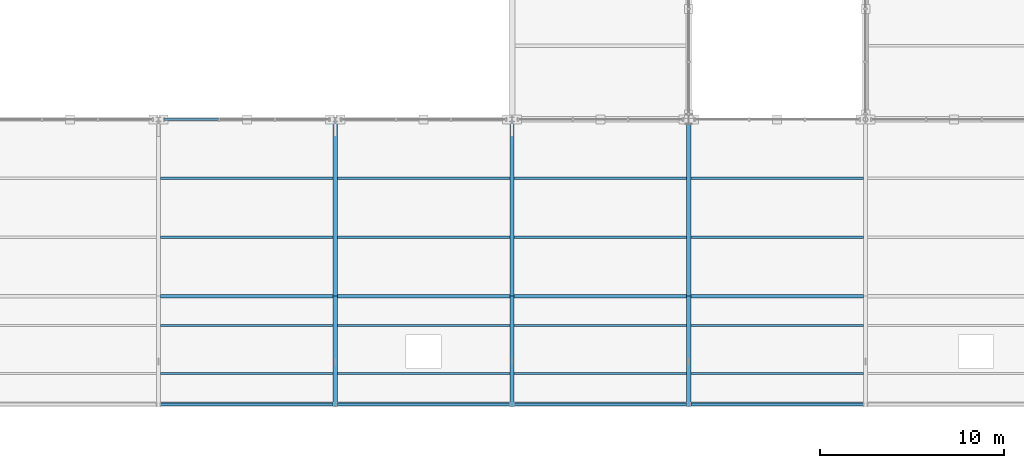
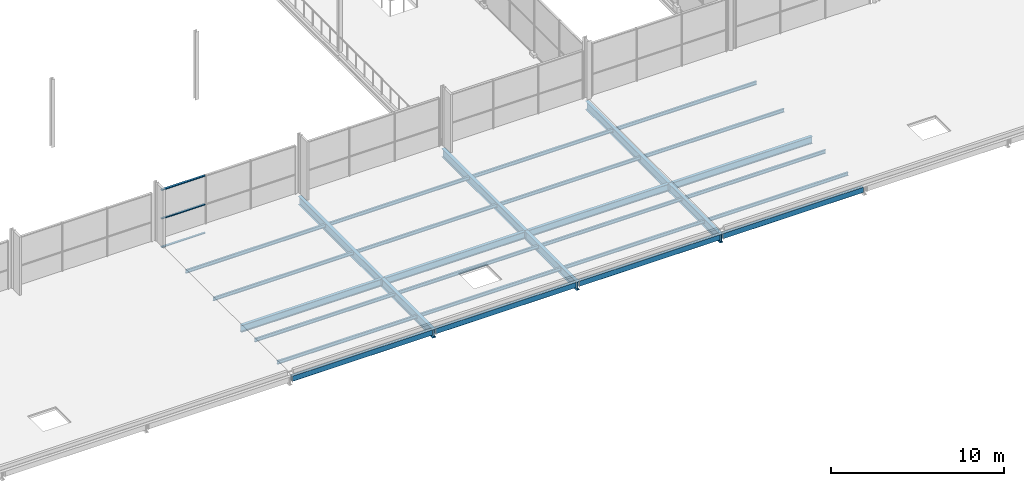
# One storey, part 27 of 159: 30 beams, 3 members, 1 element without a shape of its own.
"""IFC4 building model written with IfcOpenShell, lengths in metres."""

from ifc_helpers import new_model, si_unit, direction, frame, origin, origin_2d, place, context, subcontext, project, spatial, hollow_rectangle, i_section, extrude, material, material_profile, profile_set, type_object, element, aggregate, save


model = new_model("IFC4")

# Units and contexts
model_context = context("Model", 3, precision=1e-05, world=origin(), true_north=direction((0.0, 1.0)))
body_context = subcontext(model_context, "Body", "Model", "MODEL_VIEW")
ifc_project = project(units=[si_unit("LENGTHUNIT", "METRE"), si_unit("AREAUNIT", "SQUARE_METRE"), si_unit("VOLUMEUNIT", "CUBIC_METRE"), si_unit("PLANEANGLEUNIT", "RADIAN"), si_unit("MASSUNIT", "GRAM", prefix="KILO")], contexts=[model_context])

# Site, building, storey
site_placement = place(None, origin())
site = spatial("IfcSite", under=ifc_project, at=site_placement, CompositionType="ELEMENT")
building_placement = place(site_placement, origin())
building = spatial("IfcBuilding", under=site, at=building_placement, Name="Merenkruunu Market Hall", CompositionType="ELEMENT")
storey_placement = place(building_placement, frame((0.0, 0.0, 5.39990234375)))
storey = spatial("IfcBuildingStorey", under=building, at=storey_placement, Name="L01", CompositionType="ELEMENT", Elevation=5.39990234375)

# Curtain wall, members
ifc_material_1 = material(Name="Powder-coated aluminium", Category="aluminium")
curtain_wall_type = type_object("IfcCurtainWallType", Name="Glazed Curtain Wall CW09", PredefinedType="USERDEFINED", material=ifc_material_1)
curtain_wall_placement = place(storey_placement, origin())
curtain_wall = element("IfcCurtainWall", 1, at=curtain_wall_placement, inside=storey, type_object=curtain_wall_type, Name="CW-L01-CWM02-029", ObjectType="GLAZED_FACADE", PredefinedType="USERDEFINED")
ifc_material_profile_1 = material_profile(ifc_material_1, hollow_rectangle(XDim=0.06005859375, YDim=0.139892578125, WallThickness=0.00390625, at=origin_2d()), Name="ALU 60x140x4")
ifc_profile_set_1 = profile_set([ifc_material_profile_1], Name="Powder-coated aluminium")
member_type = type_object("IfcMemberType", Name="Curtain Wall Transom CWT02", PredefinedType="USERDEFINED", material=ifc_profile_set_1)
member_1_placement = place(storey_placement, frame((32.063232421875, 15.60009765625, 0.030029296875), z_axis=(-1.0, 0.0, 0.0), x_axis=(0.0, 0.0, 1.0)))
member_1 = element("IfcMember", 2, at=member_1_placement, type_object=member_type, Name="CW09 transom 3.1", ObjectType="TRANSOM", PredefinedType="USERDEFINED", context=body_context, shape_type="SweptSolid", body=[
    extrude(hollow_rectangle(XDim=0.06005859375, YDim=0.139892578125, WallThickness=0.00390625, at=origin_2d()), origin(), (0.0, 0.0, 1.0), 2.92333984375),
])
member_2_placement = place(storey_placement, frame((32.063232421875, 15.60009765625, 2.050048828125), z_axis=(-1.0, 0.0, 0.0), x_axis=(0.0, 0.0, 1.0)))
member_2 = element("IfcMember", 3, at=member_2_placement, type_object=member_type, Name="CW09 transom 3.2", ObjectType="TRANSOM", PredefinedType="USERDEFINED", context=body_context, shape_type="SweptSolid", body=[
    extrude(hollow_rectangle(XDim=0.06005859375, YDim=0.139892578125, WallThickness=0.00390625, at=origin_2d()), origin(), (0.0, 0.0, 1.0), 2.92333984375),
])
member_3_placement = place(storey_placement, frame((32.063232421875, 15.60009765625, 4.070068359375), z_axis=(-1.0, 0.0, 0.0), x_axis=(0.0, 0.0, 1.0)))
member_3 = element("IfcMember", 4, at=member_3_placement, type_object=member_type, Name="CW09 transom 3.3", ObjectType="TRANSOM", PredefinedType="USERDEFINED", context=body_context, shape_type="SweptSolid", body=[
    extrude(hollow_rectangle(XDim=0.06005859375, YDim=0.139892578125, WallThickness=0.00390625, at=origin_2d()), origin(), (0.0, 0.0, 1.0), 2.92333984375),
])
aggregate(curtain_wall, [member_1, member_2, member_3])

# Beams
ifc_material_2 = material(Name="Steel S355ML", Category="steel")
ifc_material_profile_2 = material_profile(ifc_material_2, hollow_rectangle(XDim=0.199951171875, YDim=0.39990234375, WallThickness=0.01611328125, InnerFilletRadius=0.01611328125, OuterFilletRadius=0.031982421875, at=origin_2d()), Name="RHS 400x200x16")
ifc_profile_set_2 = profile_set([ifc_material_profile_2], Name="Steel S355ML")
beam_type_1 = type_object("IfcBeamType", Name="Perimeter Spandrel Beam SP01", PredefinedType="SPANDREL", material=ifc_profile_set_2)
for number, where, z_axis, x_axis, name in (
    (5, (28.9130859375, 0.1201171875, 0.239990234375), (1.0, 0.0, 0.0), (0.0, 1.0, 0.0), "BM-L01-SP01-1113"),
    (6, (38.512939453125, 0.1201171875, 0.239990234375), (1.0, 0.0, 0.0), (0.0, 1.0, 0.0), "BM-L01-SP01-1119"),
    (7, (48.113037109375, 0.1201171875, 0.239990234375), (1.0, 0.0, 0.0), (0.0, 1.0, 0.0), "BM-L01-SP01-1125"),
    (8, (57.712890625, 0.1201171875, 0.239990234375), (1.0, 0.0, 0.0), (0.0, 1.0, 0.0), "BM-L01-SP01-1131"),
):
    element("IfcBeam", number, at=place(storey_placement, frame(where, z_axis=z_axis, x_axis=x_axis)), inside=storey, type_object=beam_type_1, Name=name, PredefinedType="SPANDREL", context=body_context, shape_type="SweptSolid", body=[
        extrude(hollow_rectangle(XDim=0.199951171875, YDim=0.39990234375, WallThickness=0.01611328125, InnerFilletRadius=0.01611328125, OuterFilletRadius=0.031982421875, at=origin_2d()), origin(), (0.0, 0.0, 1.0), 9.3740234375),
    ])
ifc_material_profile_3 = material_profile(ifc_material_2, i_section(OverallWidth=0.219970703125, OverallDepth=0.60009765625, WebThickness=0.011962890625, FlangeThickness=0.01904296875, FilletRadius=0.02392578125, at=origin_2d()), Name="IPE 600")
ifc_profile_set_3 = profile_set([ifc_material_profile_3], Name="Steel S355ML")
beam_type_2 = type_object("IfcBeamType", Name="Primary Floor Girder B10", PredefinedType="BEAM", material=ifc_profile_set_3)
beam_1_placement = place(storey_placement, frame((38.39990234375, 15.60009765625, 0.14013671875), z_axis=(0.0, -1.0, 0.0), x_axis=(1.0, 0.0, 0.0)))
element("IfcBeam", 9, at=beam_1_placement, inside=storey, type_object=beam_type_2, Name="BM-L01-B10-1072", PredefinedType="BEAM", context=body_context, shape_type="SweptSolid", body=[
    extrude(i_section(OverallWidth=0.219970703125, OverallDepth=0.60009765625, WebThickness=0.011962890625, FlangeThickness=0.01904296875, FilletRadius=0.02392578125, at=origin_2d()), origin(), (0.0, 0.0, 1.0), 9.60009765625),
])
beam_2_placement = place(storey_placement, frame((38.39990234375, 6.0, 0.14013671875), z_axis=(0.0, -1.0, 0.0), x_axis=(1.0, 0.0, 0.0)))
element("IfcBeam", 10, at=beam_2_placement, inside=storey, type_object=beam_type_2, Name="BM-L01-B10-1073", PredefinedType="BEAM", context=body_context, shape_type="SweptSolid", body=[
    extrude(i_section(OverallWidth=0.219970703125, OverallDepth=0.60009765625, WebThickness=0.011962890625, FlangeThickness=0.01904296875, FilletRadius=0.02392578125, at=origin_2d()), origin(), (0.0, 0.0, 1.0), 6.0),
])
beam_3_placement = place(storey_placement, frame((48.0, 15.60009765625, 0.14013671875), z_axis=(0.0, -1.0, 0.0), x_axis=(1.0, 0.0, 0.0)))
element("IfcBeam", 11, at=beam_3_placement, inside=storey, type_object=beam_type_2, Name="BM-L01-B10-1074", PredefinedType="BEAM", context=body_context, shape_type="SweptSolid", body=[
    extrude(i_section(OverallWidth=0.219970703125, OverallDepth=0.60009765625, WebThickness=0.011962890625, FlangeThickness=0.01904296875, FilletRadius=0.02392578125, at=origin_2d()), origin(), (0.0, 0.0, 1.0), 9.60009765625),
])
beam_4_placement = place(storey_placement, frame((48.0, 6.0, 0.14013671875), z_axis=(0.0, -1.0, 0.0), x_axis=(1.0, 0.0, 0.0)))
element("IfcBeam", 12, at=beam_4_placement, inside=storey, type_object=beam_type_2, Name="BM-L01-B10-1075", PredefinedType="BEAM", context=body_context, shape_type="SweptSolid", body=[
    extrude(i_section(OverallWidth=0.219970703125, OverallDepth=0.60009765625, WebThickness=0.011962890625, FlangeThickness=0.01904296875, FilletRadius=0.02392578125, at=origin_2d()), origin(), (0.0, 0.0, 1.0), 6.0),
])
beam_5_placement = place(storey_placement, frame((57.60009765625, 15.60009765625, 0.14013671875), z_axis=(0.0, -1.0, 0.0), x_axis=(1.0, 0.0, 0.0)))
element("IfcBeam", 13, at=beam_5_placement, inside=storey, type_object=beam_type_2, Name="BM-L01-B10-1076", PredefinedType="BEAM", context=body_context, shape_type="SweptSolid", body=[
    extrude(i_section(OverallWidth=0.219970703125, OverallDepth=0.60009765625, WebThickness=0.011962890625, FlangeThickness=0.01904296875, FilletRadius=0.02392578125, at=origin_2d()), origin(), (0.0, 0.0, 1.0), 9.60009765625),
])
beam_6_placement = place(storey_placement, frame((57.60009765625, 6.0, 0.14013671875), z_axis=(0.0, -1.0, 0.0), x_axis=(1.0, 0.0, 0.0)))
element("IfcBeam", 14, at=beam_6_placement, inside=storey, type_object=beam_type_2, Name="BM-L01-B10-1077", PredefinedType="BEAM", context=body_context, shape_type="SweptSolid", body=[
    extrude(i_section(OverallWidth=0.219970703125, OverallDepth=0.60009765625, WebThickness=0.011962890625, FlangeThickness=0.01904296875, FilletRadius=0.02392578125, at=origin_2d()), origin(), (0.0, 0.0, 1.0), 6.0),
])
ifc_material_3 = material(Name="Steel S355J2", Category="steel")
ifc_material_profile_4 = material_profile(ifc_material_3, i_section(OverallWidth=0.199951171875, OverallDepth=0.5, WebThickness=0.01025390625, FlangeThickness=0.01611328125, FilletRadius=0.02099609375, at=origin_2d()), Name="IPE 500")
ifc_profile_set_4 = profile_set([ifc_material_profile_4], Name="Steel S355J2")
beam_type_3 = type_object("IfcBeamType", Name="Primary Floor Girder B11", PredefinedType="BEAM", material=ifc_profile_set_4)
for number, where, z_axis, x_axis, name in (
    (15, (28.9130859375, 6.0, 0.190185546875), (1.0, 0.0, 0.0), (0.0, 1.0, 0.0), "BM-L01-B11-1112"),
    (16, (38.512939453125, 6.0, 0.190185546875), (1.0, 0.0, 0.0), (0.0, 1.0, 0.0), "BM-L01-B11-1118"),
    (17, (48.113037109375, 6.0, 0.190185546875), (1.0, 0.0, 0.0), (0.0, 1.0, 0.0), "BM-L01-B11-1124"),
    (18, (57.712890625, 6.0, 0.190185546875), (1.0, 0.0, 0.0), (0.0, 1.0, 0.0), "BM-L01-B11-1130"),
):
    element("IfcBeam", number, at=place(storey_placement, frame(where, z_axis=z_axis, x_axis=x_axis)), inside=storey, type_object=beam_type_3, Name=name, PredefinedType="BEAM", context=body_context, shape_type="SweptSolid", body=[
        extrude(i_section(OverallWidth=0.199951171875, OverallDepth=0.5, WebThickness=0.01025390625, FlangeThickness=0.01611328125, FilletRadius=0.02099609375, at=origin_2d()), origin(), (0.0, 0.0, 1.0), 9.3740234375),
    ])
ifc_material_profile_5 = material_profile(ifc_material_3, i_section(OverallWidth=0.1201171875, OverallDepth=0.239990234375, WebThickness=0.006103515625, FlangeThickness=0.009765625, FilletRadius=0.014892578125, at=origin_2d()), Name="IPE 240")
ifc_profile_set_5 = profile_set([ifc_material_profile_5], Name="Steel S355J2")
beam_type_4 = type_object("IfcBeamType", Name="Secondary Floor Joist J05", PredefinedType="JOIST", material=ifc_profile_set_5)
for number, where, z_axis, x_axis, name in (
    (19, (28.9130859375, 1.800048828125, 0.320068359375), (1.0, 0.0, 0.0), (0.0, 1.0, 0.0), "BM-L01-J05-1114"),
    (20, (28.9130859375, 4.39990234375, 0.320068359375), (1.0, 0.0, 0.0), (0.0, 1.0, 0.0), "BM-L01-J05-1115"),
    (21, (28.9130859375, 9.199951171875, 0.320068359375), (1.0, 0.0, 0.0), (0.0, 1.0, 0.0), "BM-L01-J05-1116"),
    (22, (28.9130859375, 12.39990234375, 0.320068359375), (1.0, 0.0, 0.0), (0.0, 1.0, 0.0), "BM-L01-J05-1117"),
    (23, (38.512939453125, 1.800048828125, 0.320068359375), (1.0, 0.0, 0.0), (0.0, 1.0, 0.0), "BM-L01-J05-1120"),
    (24, (38.512939453125, 4.39990234375, 0.320068359375), (1.0, 0.0, 0.0), (0.0, 1.0, 0.0), "BM-L01-J05-1121"),
    (25, (38.512939453125, 9.199951171875, 0.320068359375), (1.0, 0.0, 0.0), (0.0, 1.0, 0.0), "BM-L01-J05-1122"),
    (26, (38.512939453125, 12.39990234375, 0.320068359375), (1.0, 0.0, 0.0), (0.0, 1.0, 0.0), "BM-L01-J05-1123"),
    (27, (48.113037109375, 1.800048828125, 0.320068359375), (1.0, 0.0, 0.0), (0.0, 1.0, 0.0), "BM-L01-J05-1126"),
    (28, (48.113037109375, 4.39990234375, 0.320068359375), (1.0, 0.0, 0.0), (0.0, 1.0, 0.0), "BM-L01-J05-1127"),
    (29, (48.113037109375, 9.199951171875, 0.320068359375), (1.0, 0.0, 0.0), (0.0, 1.0, 0.0), "BM-L01-J05-1128"),
    (30, (48.113037109375, 12.39990234375, 0.320068359375), (1.0, 0.0, 0.0), (0.0, 1.0, 0.0), "BM-L01-J05-1129"),
    (31, (57.712890625, 1.800048828125, 0.320068359375), (1.0, 0.0, 0.0), (0.0, 1.0, 0.0), "BM-L01-J05-1132"),
    (32, (57.712890625, 4.39990234375, 0.320068359375), (1.0, 0.0, 0.0), (0.0, 1.0, 0.0), "BM-L01-J05-1133"),
    (33, (57.712890625, 9.199951171875, 0.320068359375), (1.0, 0.0, 0.0), (0.0, 1.0, 0.0), "BM-L01-J05-1134"),
    (34, (57.712890625, 12.39990234375, 0.320068359375), (1.0, 0.0, 0.0), (0.0, 1.0, 0.0), "BM-L01-J05-1135"),
):
    element("IfcBeam", number, at=place(storey_placement, frame(where, z_axis=z_axis, x_axis=x_axis)), inside=storey, type_object=beam_type_4, Name=name, PredefinedType="JOIST", context=body_context, shape_type="SweptSolid", body=[
        extrude(i_section(OverallWidth=0.1201171875, OverallDepth=0.239990234375, WebThickness=0.006103515625, FlangeThickness=0.009765625, FilletRadius=0.014892578125, at=origin_2d()), origin(), (0.0, 0.0, 1.0), 9.3740234375),
    ])

save(model, "model.ifc")
